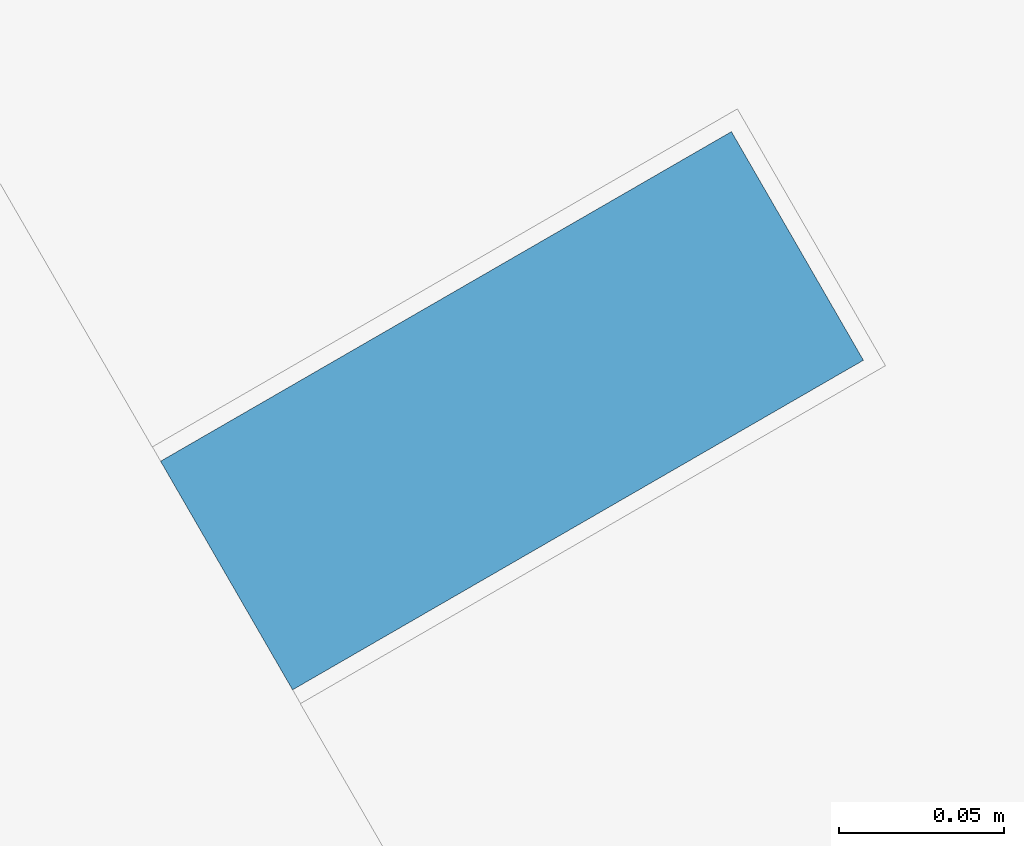
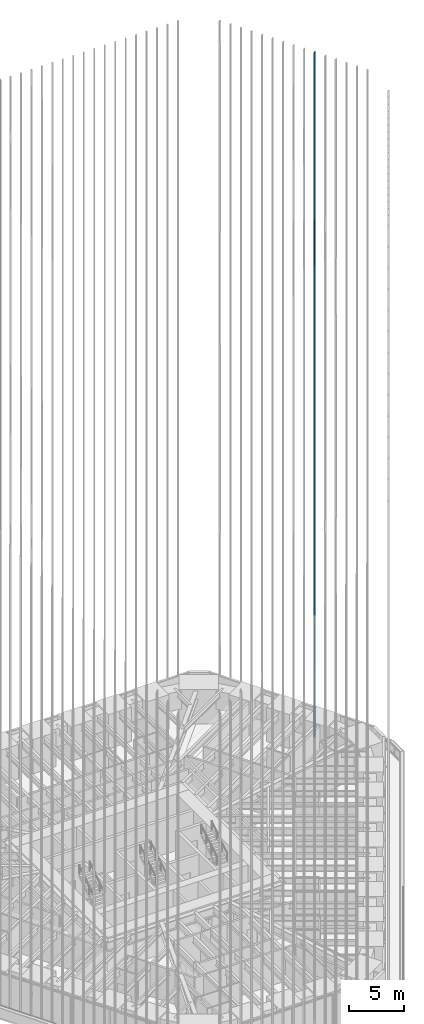
# One storey, part 195 of 238: 1 member, 1 element without a shape of its own.
"""IFC4 building model written with IfcOpenShell, lengths in metres."""

from ifc_helpers import new_model, si_unit, direction, frame, origin, origin_2d, place, context, subcontext, project, spatial, rectangle, extrude, material, material_profile, profile_set, type_object, element, aggregate, save


model = new_model("IFC4")

# Units and contexts
model_context = context("Model", 3, precision=1e-05, world=origin(), true_north=direction((0.0, 1.0)))
body_context = subcontext(model_context, "Body", "Model", "MODEL_VIEW")
ifc_project = project(units=[si_unit("LENGTHUNIT", "METRE"), si_unit("AREAUNIT", "SQUARE_METRE"), si_unit("VOLUMEUNIT", "CUBIC_METRE"), si_unit("PLANEANGLEUNIT", "RADIAN"), si_unit("MASSUNIT", "GRAM", prefix="KILO")], contexts=[model_context])

# Site, building, storey
site_placement = place(None, origin())
site = spatial("IfcSite", under=ifc_project, at=site_placement, CompositionType="ELEMENT")
building_placement = place(site_placement, origin())
building = spatial("IfcBuilding", under=site, at=building_placement, Name="Sandreach Pilgrim Tower", CompositionType="ELEMENT")
storey_placement = place(building_placement, frame((0.0, 0.0, 96.800048828125)))
storey = spatial("IfcBuildingStorey", under=building, at=storey_placement, Name="L23", CompositionType="ELEMENT", Elevation=96.800048828125)

# Curtain wall, member
ifc_material_1 = material(Name="Aluminium framed curtain wall", Category="aluminium")
curtain_wall_type = type_object("IfcCurtainWallType", Name="Hotel tower curtain wall", PredefinedType="NOTDEFINED", material=ifc_material_1)
curtain_wall_placement = place(storey_placement, origin())
curtain_wall = element("IfcCurtainWall", 1, at=curtain_wall_placement, inside=storey, type_object=curtain_wall_type, Name="CW-2 L23 NE", PredefinedType="NOTDEFINED")
ifc_material_2 = material(Name="Extruded terracotta on aluminium core", Category="masonry")
ifc_material_profile = material_profile(ifc_material_2, rectangle(XDim=0.080078125, YDim=0.199951171875, at=origin_2d()), Name="TBE 80X200")
ifc_profile_set = profile_set([ifc_material_profile], Name="Extruded terracotta on aluminium core")
member_type = type_object("IfcMemberType", Name="Terracotta baguette east", PredefinedType="USERDEFINED", material=ifc_profile_set)
member_placement = place(storey_placement, frame((25.866943359375, 12.381591796875, 0.0), z_axis=(0.0, 0.0, 1.0), x_axis=(0.5, -0.866025403784, 0.0)))
member = element("IfcMember", 2, at=member_placement, type_object=member_type, Name="Baguette Z2 NE10", ObjectType="BAGUETTE", PredefinedType="USERDEFINED", context=body_context, shape_type="SweptSolid", body=[
    extrude(rectangle(XDim=0.080078125, YDim=0.199951171875, at=origin_2d()), origin(), (0.0, 0.0, 1.0), 75.83984375),
])
aggregate(curtain_wall, [member])

save(model, "model.ifc")
